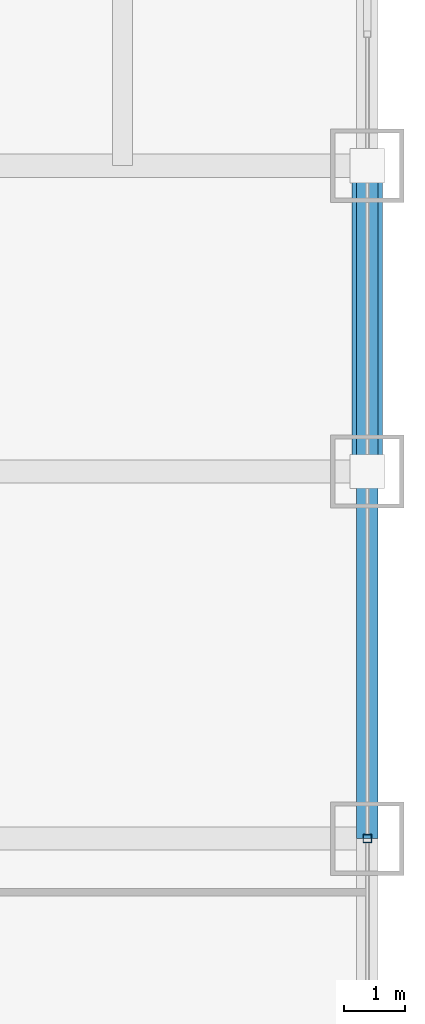
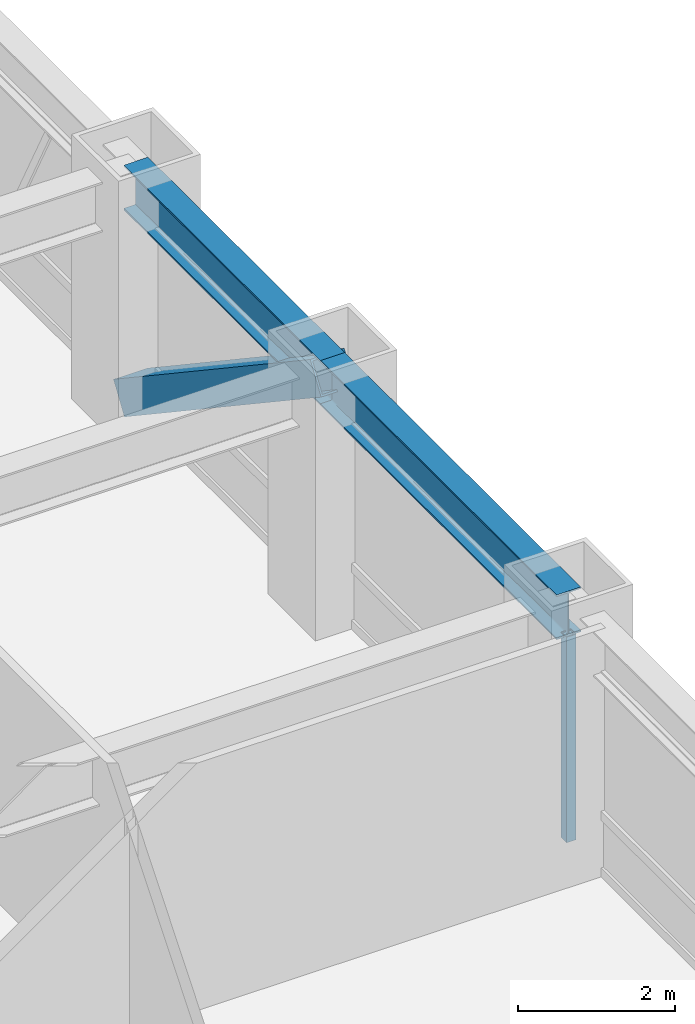
# One storey, part 14 of 28: 2 beams, 2 members, 1 element without a shape of its own.
"""IFC4 building model written with IfcOpenShell, lengths in metres."""

from ifc_helpers import new_model, si_unit, direction, frame, origin, origin_2d, place, context, subcontext, project, spatial, hollow_rectangle, i_section, extrude, source, transform, mapped, material, material_profile, profile_set, type_object, element, aggregate, save


model = new_model("IFC4")

# Units and contexts
model_context = context("Model", 3, precision=1e-05, world=origin(), true_north=direction((0.0, 1.0)))
body_context = subcontext(model_context, "Body", "Model", "MODEL_VIEW")
ifc_project = project(units=[si_unit("LENGTHUNIT", "METRE"), si_unit("AREAUNIT", "SQUARE_METRE"), si_unit("VOLUMEUNIT", "CUBIC_METRE"), si_unit("PLANEANGLEUNIT", "RADIAN"), si_unit("MASSUNIT", "GRAM", prefix="KILO")], contexts=[model_context])

# Site, building, storey
site_placement = place(None, origin())
site = spatial("IfcSite", under=ifc_project, at=site_placement, CompositionType="ELEMENT")
building_placement = place(site_placement, origin())
building = spatial("IfcBuilding", under=site, at=building_placement, Name="Khorayat Bourse Tower", CompositionType="ELEMENT")
storey_placement = place(building_placement, frame((0.0, 0.0, 124.199951171875)))
storey = spatial("IfcBuildingStorey", under=building, at=storey_placement, Name="L28", CompositionType="ELEMENT", Elevation=124.199951171875)

# Beams
ifc_material_1 = material(Name="Steel ASTM A992 Grade 50", Category="steel")
ifc_material_profile_1 = material_profile(ifc_material_1, i_section(OverallWidth=0.35498046875, OverallDepth=0.695068359375, WebThickness=0.015380859375, FlangeThickness=0.02490234375, FilletRadius=0.01806640625, at=origin_2d()), Name="W690X217")
ifc_profile_set_1 = profile_set([ifc_material_profile_1], Name="Steel ASTM A992 Grade 50")
beam_type = type_object("IfcBeamType", Name="BM-SPAN-690", PredefinedType="SPANDREL", material=ifc_profile_set_1)
shared_shape_1 = source(origin(), body_context, "Body", "SweptSolid", [
    extrude(i_section(OverallWidth=0.35498046875, OverallDepth=0.695068359375, WebThickness=0.015380859375, FlangeThickness=0.02490234375, FilletRadius=0.01806640625, at=origin_2d()), origin(), (0.0, 0.0, 1.0), 5.0),
])
beam_1_placement = place(storey_placement, frame((32.0, 6.0, 3.492431640625), z_axis=(0.0, 1.0, 0.0), x_axis=(-1.0, 0.0, 0.0)))
element("IfcBeam", 1, at=beam_1_placement, inside=storey, type_object=beam_type, Name="L28 BM-SPAN-690 BM-L28-SPN-039", PredefinedType="SPANDREL", context=body_context, shape_type="MappedRepresentation", body=[
    mapped(shared_shape_1, transform((0.0, 0.0, 0.0), scale=1.0)),
])
shared_shape_2 = source(origin(), body_context, "Body", "SweptSolid", [
    extrude(i_section(OverallWidth=0.35498046875, OverallDepth=0.695068359375, WebThickness=0.015380859375, FlangeThickness=0.02490234375, FilletRadius=0.01806640625, at=origin_2d()), origin(), (0.0, 0.0, 1.0), 6.0),
])
beam_2_placement = place(storey_placement, frame((32.0, 0.0, 3.492431640625), z_axis=(0.0, 1.0, 0.0), x_axis=(-1.0, 0.0, 0.0)))
element("IfcBeam", 2, at=beam_2_placement, inside=storey, type_object=beam_type, Name="L28 BM-SPAN-690 BM-L28-SPN-038", PredefinedType="SPANDREL", context=body_context, shape_type="MappedRepresentation", body=[
    mapped(shared_shape_2, transform((0.0, 0.0, 0.0), scale=1.0)),
])

# Member
ifc_material_2 = material(Name="Steel EN 10025-4 S460M", Category="steel")
ifc_material_profile_2 = material_profile(ifc_material_2, hollow_rectangle(XDim=0.5, YDim=0.5, WallThickness=0.028076171875, at=origin_2d()), Name="HSS 500x500x28")
ifc_profile_set_2 = profile_set([ifc_material_profile_2], Name="Steel EN 10025-4 S460M")
member_type_1 = type_object("IfcMemberType", Name="MBR-TUBE-500", PredefinedType="BRACE", material=ifc_profile_set_2)
shared_shape_3 = source(origin(), body_context, "Body", "SweptSolid", [
    extrude(hollow_rectangle(XDim=0.5, YDim=0.5, WallThickness=0.028076171875, at=origin_2d()), origin(), (0.0, 0.0, 1.0), 6.012939453125),
])
member_1_placement = place(storey_placement, frame((32.0, 6.0, 3.590087890625), z_axis=(0.0, 0.831531473026, -0.555477640745), x_axis=(-1.0, 0.0, 0.0)))
element("IfcMember", 3, at=member_1_placement, inside=storey, type_object=member_type_1, Name="L28 Perimeter Tube Brace 08", PredefinedType="BRACE", context=body_context, shape_type="MappedRepresentation", body=[
    mapped(shared_shape_3, transform((0.0, 0.0, 0.0), scale=1.0)),
])

# Curtain wall, member
ifc_material_3 = material(Name="Aluminium EN AW-6063 T6", Category="aluminium")
curtain_wall_type = type_object("IfcCurtainWallType", Name="CW-SYS-02", PredefinedType="NOTDEFINED", material=ifc_material_3)
curtain_wall_placement = place(storey_placement, origin())
curtain_wall = element("IfcCurtainWall", 4, at=curtain_wall_placement, inside=storey, type_object=curtain_wall_type, Name="L28 Curtain Wall CW-L28-E1", PredefinedType="NOTDEFINED")
ifc_material_profile_3 = material_profile(ifc_material_3, hollow_rectangle(XDim=0.139892578125, YDim=0.139892578125, WallThickness=0.006103515625, at=origin_2d()), Name="ALU 140x140x6")
ifc_profile_set_3 = profile_set([ifc_material_profile_3], Name="Aluminium EN AW-6063 T6")
member_type_2 = type_object("IfcMemberType", Name="CWM-VERT-140", PredefinedType="MULLION", material=ifc_profile_set_3)
shared_shape_4 = source(origin(), body_context, "Body", "SweptSolid", [
    extrude(hollow_rectangle(XDim=0.139892578125, YDim=0.139892578125, WallThickness=0.006103515625, at=origin_2d()), origin(), (0.0, 0.0, 1.0), 3.18994140625),
])
member_2_placement = place(storey_placement, frame((32.0, 0.0, 0.0), z_axis=(0.0, 0.0, 1.0), x_axis=(-1.0, 0.0, 0.0)))
member_2 = element("IfcMember", 5, at=member_2_placement, type_object=member_type_2, Name="CW-L28-E1 Vertical Mullion 2", PredefinedType="MULLION", context=body_context, shape_type="MappedRepresentation", body=[
    mapped(shared_shape_4, transform((0.0, 0.0, 0.0), scale=1.0)),
])
aggregate(curtain_wall, [member_2])

save(model, "model.ifc")
